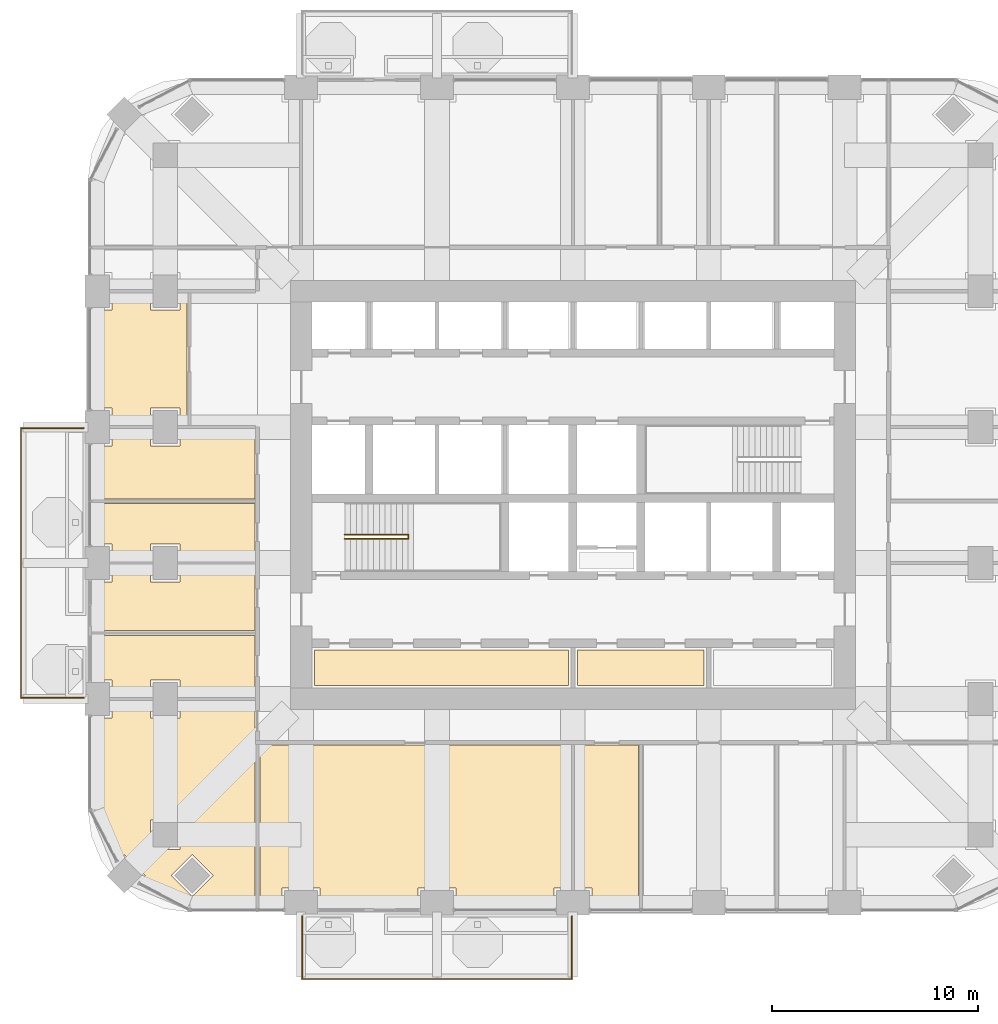
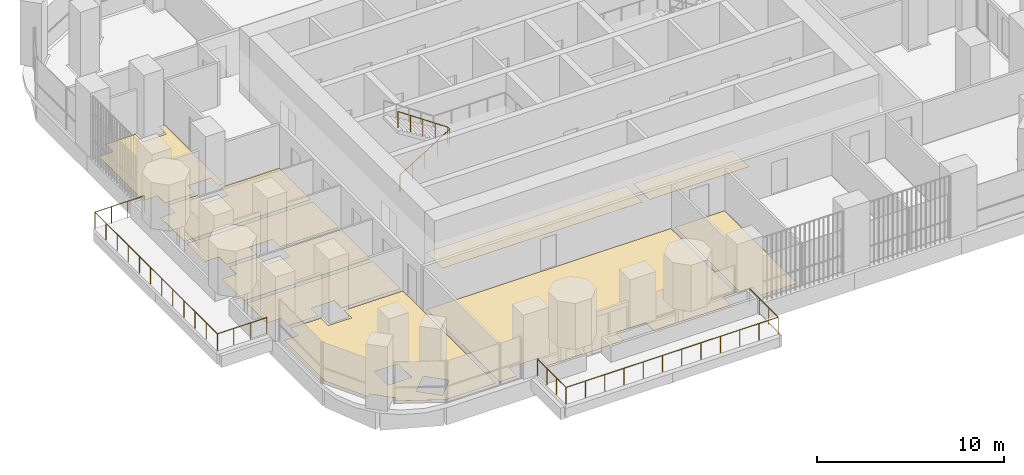
# One storey, part 16 of 20: 10 coverings, 3 railings.
"""IFC4 building model written with IfcOpenShell, lengths in metres."""

from ifc_helpers import new_model, si_unit, direction, frame, origin, place, context, subcontext, project, spatial, polyline, outline, extrude, material, layer, layer_set, type_object, element, save


model = new_model("IFC4")

# Units and contexts
model_context = context("Model", 3, precision=1e-05, world=origin(), true_north=direction((0.0, 1.0)))
body_context = subcontext(model_context, "Body", "Model", "MODEL_VIEW")
ifc_project = project(units=[si_unit("LENGTHUNIT", "METRE"), si_unit("AREAUNIT", "SQUARE_METRE"), si_unit("VOLUMEUNIT", "CUBIC_METRE"), si_unit("PLANEANGLEUNIT", "RADIAN"), si_unit("MASSUNIT", "GRAM", prefix="KILO")], contexts=[model_context])

# Site, building, storey
site_placement = place(None, origin())
site = spatial("IfcSite", under=ifc_project, at=site_placement, CompositionType="ELEMENT")
building_placement = place(site_placement, origin())
building = spatial("IfcBuilding", under=site, at=building_placement, Name="Cobogo Forest Laboratory Tower", CompositionType="ELEMENT")
storey_placement = place(building_placement, frame((0.0, 0.0, 168.300048828125)))
storey = spatial("IfcBuildingStorey", under=building, at=storey_placement, Name="L38", CompositionType="ELEMENT", Elevation=168.300048828125)

# Railings
ifc_material_1 = material(Name="Laminated glass balustrade", Category="glass")
railing_type_1 = type_object("IfcRailingType", Name="BG1 glass balustrade 1100", PredefinedType="GUARDRAIL", material=ifc_material_1)
railing_1_placement = place(storey_placement, frame((13.25, 2.64990234375, 0.0)))
element("IfcRailing", 1, at=railing_1_placement, inside=storey, type_object=railing_type_1, Name="Balcony balustrade BAL-S1 L38", PredefinedType="GUARDRAIL", context=body_context, shape_type="SweptSolid", body=[
    extrude(outline(polyline([(0.022216796875, 0.00927734375), (0.00927734375, 0.022216796875), (-0.00927734375, 0.022216796875), (-0.022216796875, 0.00927734375), (-0.022216796875, -0.00927734375), (-0.00927734375, -0.022216796875), (0.00927734375, -0.022216796875), (0.022216796875, -0.00927734375), (0.022216796875, 0.00927734375)])), frame((0.0, 0.0, 1.077880859375), z_axis=(0.0, -1.0, 0.0), x_axis=(1.0, 0.0, 0.0)), (0.0, 0.0, 1.0), 3.0498046875),
    extrude(outline(polyline([(0.022216796875, 0.00927734375), (0.00927734375, 0.022216796875), (-0.00927734375, 0.022216796875), (-0.022216796875, 0.00927734375), (-0.022216796875, -0.00927734375), (-0.00927734375, -0.022216796875), (0.00927734375, -0.022216796875), (0.022216796875, -0.00927734375), (0.022216796875, 0.00927734375)])), frame((0.0, -3.0498046875, 1.077880859375), z_axis=(1.0, 0.0, 0.0), x_axis=(0.0, 1.0, 0.0)), (0.0, 0.0, 1.0), 13.10009765625),
    extrude(outline(polyline([(0.022216796875, 0.00927734375), (0.00927734375, 0.022216796875), (-0.00927734375, 0.022216796875), (-0.022216796875, 0.00927734375), (-0.022216796875, -0.00927734375), (-0.00927734375, -0.022216796875), (0.00927734375, -0.022216796875), (0.022216796875, -0.00927734375), (0.022216796875, 0.00927734375)])), frame((13.10009765625, -3.0498046875, 1.077880859375), z_axis=(0.0, 1.0, 0.0), x_axis=(-1.0, 0.0, 0.0)), (0.0, 0.0, 1.0), 3.0498046875),
    extrude(outline(polyline([(0.019287109375, 0.008056640625), (0.008056640625, 0.019287109375), (-0.008056640625, 0.019287109375), (-0.019287109375, 0.008056640625), (-0.019287109375, -0.008056640625), (-0.008056640625, -0.019287109375), (0.008056640625, -0.019287109375), (0.019287109375, -0.008056640625), (0.019287109375, 0.008056640625)])), origin(), (0.0, 0.0, 1.0), 1.077880859375),
    extrude(outline(polyline([(0.019287109375, 0.008056640625), (0.008056640625, 0.019287109375), (-0.008056640625, 0.019287109375), (-0.019287109375, 0.008056640625), (-0.019287109375, -0.008056640625), (-0.008056640625, -0.019287109375), (0.008056640625, -0.019287109375), (0.019287109375, -0.008056640625), (0.019287109375, 0.008056640625)])), frame((0.0, -1.0166015625, 0.0)), (0.0, 0.0, 1.0), 1.077880859375),
    extrude(outline(polyline([(0.019287109375, 0.008056640625), (0.008056640625, 0.019287109375), (-0.008056640625, 0.019287109375), (-0.019287109375, 0.008056640625), (-0.019287109375, -0.008056640625), (-0.008056640625, -0.019287109375), (0.008056640625, -0.019287109375), (0.019287109375, -0.008056640625), (0.019287109375, 0.008056640625)])), frame((0.0, -2.033203125, 0.0)), (0.0, 0.0, 1.0), 1.077880859375),
    extrude(outline(polyline([(0.019287109375, 0.008056640625), (0.008056640625, 0.019287109375), (-0.008056640625, 0.019287109375), (-0.019287109375, 0.008056640625), (-0.019287109375, -0.008056640625), (-0.008056640625, -0.019287109375), (0.008056640625, -0.019287109375), (0.019287109375, -0.008056640625), (0.019287109375, 0.008056640625)])), frame((0.0, -3.0498046875, 0.0)), (0.0, 0.0, 1.0), 1.077880859375),
    extrude(outline(polyline([(0.019287109375, 0.008056640625), (0.008056640625, 0.019287109375), (-0.008056640625, 0.019287109375), (-0.019287109375, 0.008056640625), (-0.019287109375, -0.008056640625), (-0.008056640625, -0.019287109375), (0.008056640625, -0.019287109375), (0.019287109375, -0.008056640625), (0.019287109375, 0.008056640625)])), frame((1.19091796875, -3.0498046875, 0.0)), (0.0, 0.0, 1.0), 1.077880859375),
    extrude(outline(polyline([(0.019287109375, 0.008056640625), (0.008056640625, 0.019287109375), (-0.008056640625, 0.019287109375), (-0.019287109375, 0.008056640625), (-0.019287109375, -0.008056640625), (-0.008056640625, -0.019287109375), (0.008056640625, -0.019287109375), (0.019287109375, -0.008056640625), (0.019287109375, 0.008056640625)])), frame((2.3818359375, -3.0498046875, 0.0)), (0.0, 0.0, 1.0), 1.077880859375),
    extrude(outline(polyline([(0.019287109375, 0.008056640625), (0.008056640625, 0.019287109375), (-0.008056640625, 0.019287109375), (-0.019287109375, 0.008056640625), (-0.019287109375, -0.008056640625), (-0.008056640625, -0.019287109375), (0.008056640625, -0.019287109375), (0.019287109375, -0.008056640625), (0.019287109375, 0.008056640625)])), frame((3.57275390625, -3.0498046875, 0.0)), (0.0, 0.0, 1.0), 1.077880859375),
    extrude(outline(polyline([(0.019287109375, 0.008056640625), (0.008056640625, 0.019287109375), (-0.008056640625, 0.019287109375), (-0.019287109375, 0.008056640625), (-0.019287109375, -0.008056640625), (-0.008056640625, -0.019287109375), (0.008056640625, -0.019287109375), (0.019287109375, -0.008056640625), (0.019287109375, 0.008056640625)])), frame((4.763671875, -3.0498046875, 0.0)), (0.0, 0.0, 1.0), 1.077880859375),
    extrude(outline(polyline([(0.019287109375, 0.008056640625), (0.008056640625, 0.019287109375), (-0.008056640625, 0.019287109375), (-0.019287109375, 0.008056640625), (-0.019287109375, -0.008056640625), (-0.008056640625, -0.019287109375), (0.008056640625, -0.019287109375), (0.019287109375, -0.008056640625), (0.019287109375, 0.008056640625)])), frame((5.95458984375, -3.0498046875, 0.0)), (0.0, 0.0, 1.0), 1.077880859375),
    extrude(outline(polyline([(0.019287109375, 0.008056640625), (0.008056640625, 0.019287109375), (-0.008056640625, 0.019287109375), (-0.019287109375, 0.008056640625), (-0.019287109375, -0.008056640625), (-0.008056640625, -0.019287109375), (0.008056640625, -0.019287109375), (0.019287109375, -0.008056640625), (0.019287109375, 0.008056640625)])), frame((7.1455078125, -3.0498046875, 0.0)), (0.0, 0.0, 1.0), 1.077880859375),
    extrude(outline(polyline([(0.019287109375, 0.008056640625), (0.008056640625, 0.019287109375), (-0.008056640625, 0.019287109375), (-0.019287109375, 0.008056640625), (-0.019287109375, -0.008056640625), (-0.008056640625, -0.019287109375), (0.008056640625, -0.019287109375), (0.019287109375, -0.008056640625), (0.019287109375, 0.008056640625)])), frame((8.33642578125, -3.0498046875, 0.0)), (0.0, 0.0, 1.0), 1.077880859375),
    extrude(outline(polyline([(0.019287109375, 0.008056640625), (0.008056640625, 0.019287109375), (-0.008056640625, 0.019287109375), (-0.019287109375, 0.008056640625), (-0.019287109375, -0.008056640625), (-0.008056640625, -0.019287109375), (0.008056640625, -0.019287109375), (0.019287109375, -0.008056640625), (0.019287109375, 0.008056640625)])), frame((9.52734375, -3.0498046875, 0.0)), (0.0, 0.0, 1.0), 1.077880859375),
    extrude(outline(polyline([(0.019287109375, 0.008056640625), (0.008056640625, 0.019287109375), (-0.008056640625, 0.019287109375), (-0.019287109375, 0.008056640625), (-0.019287109375, -0.008056640625), (-0.008056640625, -0.019287109375), (0.008056640625, -0.019287109375), (0.019287109375, -0.008056640625), (0.019287109375, 0.008056640625)])), frame((10.71826171875, -3.0498046875, 0.0)), (0.0, 0.0, 1.0), 1.077880859375),
    extrude(outline(polyline([(0.019287109375, 0.008056640625), (0.008056640625, 0.019287109375), (-0.008056640625, 0.019287109375), (-0.019287109375, 0.008056640625), (-0.019287109375, -0.008056640625), (-0.008056640625, -0.019287109375), (0.008056640625, -0.019287109375), (0.019287109375, -0.008056640625), (0.019287109375, 0.008056640625)])), frame((11.9091796875, -3.0498046875, 0.0)), (0.0, 0.0, 1.0), 1.077880859375),
    extrude(outline(polyline([(0.019287109375, 0.008056640625), (0.008056640625, 0.019287109375), (-0.008056640625, 0.019287109375), (-0.019287109375, 0.008056640625), (-0.019287109375, -0.008056640625), (-0.008056640625, -0.019287109375), (0.008056640625, -0.019287109375), (0.019287109375, -0.008056640625), (0.019287109375, 0.008056640625)])), frame((13.10009765625, -3.0498046875, 0.0)), (0.0, 0.0, 1.0), 1.077880859375),
    extrude(outline(polyline([(0.019287109375, 0.008056640625), (0.008056640625, 0.019287109375), (-0.008056640625, 0.019287109375), (-0.019287109375, 0.008056640625), (-0.019287109375, -0.008056640625), (-0.008056640625, -0.019287109375), (0.008056640625, -0.019287109375), (0.019287109375, -0.008056640625), (0.019287109375, 0.008056640625)])), frame((13.10009765625, -2.033203125, 0.0)), (0.0, 0.0, 1.0), 1.077880859375),
    extrude(outline(polyline([(0.019287109375, 0.008056640625), (0.008056640625, 0.019287109375), (-0.008056640625, 0.019287109375), (-0.019287109375, 0.008056640625), (-0.019287109375, -0.008056640625), (-0.008056640625, -0.019287109375), (0.008056640625, -0.019287109375), (0.019287109375, -0.008056640625), (0.019287109375, 0.008056640625)])), frame((13.10009765625, -1.0166015625, 0.0)), (0.0, 0.0, 1.0), 1.077880859375),
    extrude(outline(polyline([(0.019287109375, 0.008056640625), (0.008056640625, 0.019287109375), (-0.008056640625, 0.019287109375), (-0.019287109375, 0.008056640625), (-0.019287109375, -0.008056640625), (-0.008056640625, -0.019287109375), (0.008056640625, -0.019287109375), (0.019287109375, -0.008056640625), (0.019287109375, 0.008056640625)])), frame((13.10009765625, 0.0, 0.0)), (0.0, 0.0, 1.0), 1.077880859375),
])
railing_2_placement = place(storey_placement, frame((2.64990234375, 13.25, 0.0)))
element("IfcRailing", 2, at=railing_2_placement, inside=storey, type_object=railing_type_1, Name="Balcony balustrade BAL-W1 L38", PredefinedType="GUARDRAIL", context=body_context, shape_type="SweptSolid", body=[
    extrude(outline(polyline([(0.022216796875, 0.00927734375), (0.00927734375, 0.022216796875), (-0.00927734375, 0.022216796875), (-0.022216796875, 0.00927734375), (-0.022216796875, -0.00927734375), (-0.00927734375, -0.022216796875), (0.00927734375, -0.022216796875), (0.022216796875, -0.00927734375), (0.022216796875, 0.00927734375)])), frame((0.0, 0.0, 1.077880859375), z_axis=(-1.0, 0.0, 0.0), x_axis=(0.0, -1.0, 0.0)), (0.0, 0.0, 1.0), 3.0498046875),
    extrude(outline(polyline([(0.022216796875, 0.00927734375), (0.00927734375, 0.022216796875), (-0.00927734375, 0.022216796875), (-0.022216796875, 0.00927734375), (-0.022216796875, -0.00927734375), (-0.00927734375, -0.022216796875), (0.00927734375, -0.022216796875), (0.022216796875, -0.00927734375), (0.022216796875, 0.00927734375)])), frame((-3.0498046875, 0.0, 1.077880859375), z_axis=(0.0, 1.0, 0.0), x_axis=(-1.0, 0.0, 0.0)), (0.0, 0.0, 1.0), 13.10009765625),
    extrude(outline(polyline([(0.022216796875, 0.00927734375), (0.00927734375, 0.022216796875), (-0.00927734375, 0.022216796875), (-0.022216796875, 0.00927734375), (-0.022216796875, -0.00927734375), (-0.00927734375, -0.022216796875), (0.00927734375, -0.022216796875), (0.022216796875, -0.00927734375), (0.022216796875, 0.00927734375)])), frame((-3.0498046875, 13.10009765625, 1.077880859375), z_axis=(1.0, 0.0, 0.0), x_axis=(0.0, 1.0, 0.0)), (0.0, 0.0, 1.0), 3.0498046875),
    extrude(outline(polyline([(0.019287109375, 0.008056640625), (0.008056640625, 0.019287109375), (-0.008056640625, 0.019287109375), (-0.019287109375, 0.008056640625), (-0.019287109375, -0.008056640625), (-0.008056640625, -0.019287109375), (0.008056640625, -0.019287109375), (0.019287109375, -0.008056640625), (0.019287109375, 0.008056640625)])), origin(), (0.0, 0.0, 1.0), 1.077880859375),
    extrude(outline(polyline([(0.019287109375, 0.008056640625), (0.008056640625, 0.019287109375), (-0.008056640625, 0.019287109375), (-0.019287109375, 0.008056640625), (-0.019287109375, -0.008056640625), (-0.008056640625, -0.019287109375), (0.008056640625, -0.019287109375), (0.019287109375, -0.008056640625), (0.019287109375, 0.008056640625)])), frame((-1.0166015625, 0.0, 0.0)), (0.0, 0.0, 1.0), 1.077880859375),
    extrude(outline(polyline([(0.019287109375, 0.008056640625), (0.008056640625, 0.019287109375), (-0.008056640625, 0.019287109375), (-0.019287109375, 0.008056640625), (-0.019287109375, -0.008056640625), (-0.008056640625, -0.019287109375), (0.008056640625, -0.019287109375), (0.019287109375, -0.008056640625), (0.019287109375, 0.008056640625)])), frame((-2.033203125, 0.0, 0.0)), (0.0, 0.0, 1.0), 1.077880859375),
    extrude(outline(polyline([(0.019287109375, 0.008056640625), (0.008056640625, 0.019287109375), (-0.008056640625, 0.019287109375), (-0.019287109375, 0.008056640625), (-0.019287109375, -0.008056640625), (-0.008056640625, -0.019287109375), (0.008056640625, -0.019287109375), (0.019287109375, -0.008056640625), (0.019287109375, 0.008056640625)])), frame((-3.0498046875, 0.0, 0.0)), (0.0, 0.0, 1.0), 1.077880859375),
    extrude(outline(polyline([(0.019287109375, 0.008056640625), (0.008056640625, 0.019287109375), (-0.008056640625, 0.019287109375), (-0.019287109375, 0.008056640625), (-0.019287109375, -0.008056640625), (-0.008056640625, -0.019287109375), (0.008056640625, -0.019287109375), (0.019287109375, -0.008056640625), (0.019287109375, 0.008056640625)])), frame((-3.0498046875, 1.19091796875, 0.0)), (0.0, 0.0, 1.0), 1.077880859375),
    extrude(outline(polyline([(0.019287109375, 0.008056640625), (0.008056640625, 0.019287109375), (-0.008056640625, 0.019287109375), (-0.019287109375, 0.008056640625), (-0.019287109375, -0.008056640625), (-0.008056640625, -0.019287109375), (0.008056640625, -0.019287109375), (0.019287109375, -0.008056640625), (0.019287109375, 0.008056640625)])), frame((-3.0498046875, 2.3818359375, 0.0)), (0.0, 0.0, 1.0), 1.077880859375),
    extrude(outline(polyline([(0.019287109375, 0.008056640625), (0.008056640625, 0.019287109375), (-0.008056640625, 0.019287109375), (-0.019287109375, 0.008056640625), (-0.019287109375, -0.008056640625), (-0.008056640625, -0.019287109375), (0.008056640625, -0.019287109375), (0.019287109375, -0.008056640625), (0.019287109375, 0.008056640625)])), frame((-3.0498046875, 3.57275390625, 0.0)), (0.0, 0.0, 1.0), 1.077880859375),
    extrude(outline(polyline([(0.019287109375, 0.008056640625), (0.008056640625, 0.019287109375), (-0.008056640625, 0.019287109375), (-0.019287109375, 0.008056640625), (-0.019287109375, -0.008056640625), (-0.008056640625, -0.019287109375), (0.008056640625, -0.019287109375), (0.019287109375, -0.008056640625), (0.019287109375, 0.008056640625)])), frame((-3.0498046875, 4.763671875, 0.0)), (0.0, 0.0, 1.0), 1.077880859375),
    extrude(outline(polyline([(0.019287109375, 0.008056640625), (0.008056640625, 0.019287109375), (-0.008056640625, 0.019287109375), (-0.019287109375, 0.008056640625), (-0.019287109375, -0.008056640625), (-0.008056640625, -0.019287109375), (0.008056640625, -0.019287109375), (0.019287109375, -0.008056640625), (0.019287109375, 0.008056640625)])), frame((-3.0498046875, 5.95458984375, 0.0)), (0.0, 0.0, 1.0), 1.077880859375),
    extrude(outline(polyline([(0.019287109375, 0.008056640625), (0.008056640625, 0.019287109375), (-0.008056640625, 0.019287109375), (-0.019287109375, 0.008056640625), (-0.019287109375, -0.008056640625), (-0.008056640625, -0.019287109375), (0.008056640625, -0.019287109375), (0.019287109375, -0.008056640625), (0.019287109375, 0.008056640625)])), frame((-3.0498046875, 7.1455078125, 0.0)), (0.0, 0.0, 1.0), 1.077880859375),
    extrude(outline(polyline([(0.019287109375, 0.008056640625), (0.008056640625, 0.019287109375), (-0.008056640625, 0.019287109375), (-0.019287109375, 0.008056640625), (-0.019287109375, -0.008056640625), (-0.008056640625, -0.019287109375), (0.008056640625, -0.019287109375), (0.019287109375, -0.008056640625), (0.019287109375, 0.008056640625)])), frame((-3.0498046875, 8.33642578125, 0.0)), (0.0, 0.0, 1.0), 1.077880859375),
    extrude(outline(polyline([(0.019287109375, 0.008056640625), (0.008056640625, 0.019287109375), (-0.008056640625, 0.019287109375), (-0.019287109375, 0.008056640625), (-0.019287109375, -0.008056640625), (-0.008056640625, -0.019287109375), (0.008056640625, -0.019287109375), (0.019287109375, -0.008056640625), (0.019287109375, 0.008056640625)])), frame((-3.0498046875, 9.52734375, 0.0)), (0.0, 0.0, 1.0), 1.077880859375),
    extrude(outline(polyline([(0.019287109375, 0.008056640625), (0.008056640625, 0.019287109375), (-0.008056640625, 0.019287109375), (-0.019287109375, 0.008056640625), (-0.019287109375, -0.008056640625), (-0.008056640625, -0.019287109375), (0.008056640625, -0.019287109375), (0.019287109375, -0.008056640625), (0.019287109375, 0.008056640625)])), frame((-3.0498046875, 10.71826171875, 0.0)), (0.0, 0.0, 1.0), 1.077880859375),
    extrude(outline(polyline([(0.019287109375, 0.008056640625), (0.008056640625, 0.019287109375), (-0.008056640625, 0.019287109375), (-0.019287109375, 0.008056640625), (-0.019287109375, -0.008056640625), (-0.008056640625, -0.019287109375), (0.008056640625, -0.019287109375), (0.019287109375, -0.008056640625), (0.019287109375, 0.008056640625)])), frame((-3.0498046875, 11.9091796875, 0.0)), (0.0, 0.0, 1.0), 1.077880859375),
    extrude(outline(polyline([(0.019287109375, 0.008056640625), (0.008056640625, 0.019287109375), (-0.008056640625, 0.019287109375), (-0.019287109375, 0.008056640625), (-0.019287109375, -0.008056640625), (-0.008056640625, -0.019287109375), (0.008056640625, -0.019287109375), (0.019287109375, -0.008056640625), (0.019287109375, 0.008056640625)])), frame((-3.0498046875, 13.10009765625, 0.0)), (0.0, 0.0, 1.0), 1.077880859375),
    extrude(outline(polyline([(0.019287109375, 0.008056640625), (0.008056640625, 0.019287109375), (-0.008056640625, 0.019287109375), (-0.019287109375, 0.008056640625), (-0.019287109375, -0.008056640625), (-0.008056640625, -0.019287109375), (0.008056640625, -0.019287109375), (0.019287109375, -0.008056640625), (0.019287109375, 0.008056640625)])), frame((-2.033203125, 13.10009765625, 0.0)), (0.0, 0.0, 1.0), 1.077880859375),
    extrude(outline(polyline([(0.019287109375, 0.008056640625), (0.008056640625, 0.019287109375), (-0.008056640625, 0.019287109375), (-0.019287109375, 0.008056640625), (-0.019287109375, -0.008056640625), (-0.008056640625, -0.019287109375), (0.008056640625, -0.019287109375), (0.019287109375, -0.008056640625), (0.019287109375, 0.008056640625)])), frame((-1.0166015625, 13.10009765625, 0.0)), (0.0, 0.0, 1.0), 1.077880859375),
    extrude(outline(polyline([(0.019287109375, 0.008056640625), (0.008056640625, 0.019287109375), (-0.008056640625, 0.019287109375), (-0.019287109375, 0.008056640625), (-0.019287109375, -0.008056640625), (-0.008056640625, -0.019287109375), (0.008056640625, -0.019287109375), (0.019287109375, -0.008056640625), (0.019287109375, 0.008056640625)])), frame((0.0, 13.10009765625, 0.0)), (0.0, 0.0, 1.0), 1.077880859375),
])

# Coverings
ifc_material_2 = material(Name="Carpet tile on raised access floor", Category="flooring")
ifc_layer_1 = layer(ifc_material_2, 0.008056640625)
ifc_layer_set_1 = layer_set([ifc_layer_1], Name="CT1 carpet tile floor 8")
covering_type_1 = type_object("IfcCoveringType", Name="CT1 carpet tile floor 8", PredefinedType="FLOORING", material=ifc_layer_set_1)
covering_1_placement = place(storey_placement, origin())
element("IfcCovering", 3, at=covering_1_placement, inside=storey, type_object=covering_type_1, Name="Carpet floor L38-01", PredefinedType="FLOORING", context=body_context, shape_type="SweptSolid", body=[
    extrude(outline(polyline([(26.280029296875, 10.955078125), (26.280029296875, 4.02001953125), (25.47998046875, 4.02001953125), (25.47998046875, 3.14990234375), (20.719970703125, 3.14990234375), (20.719970703125, 4.02001953125), (18.8798828125, 4.02001953125), (18.8798828125, 3.14990234375), (14.1201171875, 3.14990234375), (14.1201171875, 4.02001953125), (12.280029296875, 4.02001953125), (12.280029296875, 3.14990234375), (11.195068359375, 3.14990234375), (11.195068359375, 10.955078125), (26.280029296875, 10.955078125)])), origin(), (0.0, 0.0, 1.0), 0.008056640625),
])
covering_2_placement = place(storey_placement, origin())
element("IfcCovering", 4, at=covering_2_placement, inside=storey, type_object=covering_type_1, Name="Carpet floor L38-17", PredefinedType="FLOORING", context=body_context, shape_type="SweptSolid", body=[
    extrude(outline(polyline([(10.955078125, 3.14990234375), (7.84912109375, 3.14990234375), (5.434326171875, 4.416015625), (5.63623046875, 4.617919921875), (4.617919921875, 5.63623046875), (4.416015625, 5.434326171875), (3.14990234375, 7.84912109375), (3.14990234375, 12.280029296875), (4.02001953125, 12.280029296875), (4.02001953125, 13.080078125), (5.8798828125, 13.080078125), (5.8798828125, 12.280029296875), (7.320068359375, 12.280029296875), (7.320068359375, 13.080078125), (10.955078125, 13.080078125), (10.955078125, 3.14990234375)]), holes=[polyline([(7.91796875, 3.599853515625), (8.936279296875, 4.617919921875), (7.91796875, 5.63623046875), (6.89990234375, 4.617919921875), (7.91796875, 3.599853515625)]), polyline([(5.8798828125, 5.8798828125), (7.320068359375, 5.8798828125), (7.320068359375, 7.320068359375), (5.8798828125, 7.320068359375), (5.8798828125, 5.8798828125)])]), origin(), (0.0, 0.0, 1.0), 0.008056640625),
])
covering_3_placement = place(storey_placement, origin())
element("IfcCovering", 5, at=covering_3_placement, inside=storey, type_object=covering_type_1, Name="Carpet floor L38-32", PredefinedType="FLOORING", context=body_context, shape_type="SweptSolid", body=[
    extrude(outline(polyline([(26.179931640625, 13.844970703125), (13.844970703125, 13.844970703125), (13.844970703125, 15.580078125), (26.179931640625, 15.580078125), (26.179931640625, 13.844970703125)])), origin(), (0.0, 0.0, 1.0), 0.008056640625),
])

# Railing
ifc_material_3 = material(Name="Steel balustrade", Category="steel")
railing_type_2 = type_object("IfcRailingType", Name="GR stair guard 1100", PredefinedType="GUARDRAIL", material=ifc_material_3)
railing_3_placement = place(storey_placement, frame((15.324951171875, 20.969970703125, 0.175048828125)))
element("IfcRailing", 6, at=railing_3_placement, inside=storey, type_object=railing_type_2, Name="Stair guard ST1 L38", PredefinedType="GUARDRAIL", context=body_context, shape_type="SweptSolid", body=[
    extrude(outline(polyline([(0.022216796875, 0.00927734375), (0.00927734375, 0.022216796875), (-0.00927734375, 0.022216796875), (-0.022216796875, 0.00927734375), (-0.022216796875, -0.00927734375), (-0.00927734375, -0.022216796875), (0.00927734375, -0.022216796875), (0.022216796875, -0.00927734375), (0.022216796875, 0.00927734375)])), frame((0.0, 0.0, 1.077880859375), z_axis=(0.848028513186, 0.0, 0.529950602248), x_axis=(0.0, 1.0, 0.0)), (0.0, 0.0, 1.0), 3.632080078125),
    extrude(outline(polyline([(0.022216796875, 0.00927734375), (0.00927734375, 0.022216796875), (-0.00927734375, 0.022216796875), (-0.022216796875, 0.00927734375), (-0.022216796875, -0.00927734375), (-0.00927734375, -0.022216796875), (0.00927734375, -0.022216796875), (0.022216796875, -0.00927734375), (0.022216796875, 0.00927734375)])), frame((3.080078125, 0.0, 3.002685546875), z_axis=(0.0, 1.0, 0.0), x_axis=(-1.0, 0.0, 0.0)), (0.0, 0.0, 1.0), 0.2099609375),
    extrude(outline(polyline([(0.022216796875, 0.00927734375), (0.00927734375, 0.022216796875), (-0.00927734375, 0.022216796875), (-0.022216796875, 0.00927734375), (-0.022216796875, -0.00927734375), (-0.00927734375, -0.022216796875), (0.00927734375, -0.022216796875), (0.022216796875, -0.00927734375), (0.022216796875, 0.00927734375)])), frame((3.080078125, 0.2099609375, 3.002685546875), z_axis=(-0.826221800596, 0.0, 0.563344953133), x_axis=(0.0, -1.0, 0.0)), (0.0, 0.0, 1.0), 3.72802734375),
    extrude(outline(polyline([(0.019287109375, 0.008056640625), (0.008056640625, 0.019287109375), (-0.008056640625, 0.019287109375), (-0.019287109375, 0.008056640625), (-0.019287109375, -0.008056640625), (-0.008056640625, -0.019287109375), (0.008056640625, -0.019287109375), (0.019287109375, -0.008056640625), (0.019287109375, 0.008056640625)])), origin(), (0.0, 0.0, 1.0), 1.077880859375),
    extrude(outline(polyline([(0.019287109375, 0.008056640625), (0.008056640625, 0.019287109375), (-0.008056640625, 0.019287109375), (-0.019287109375, 0.008056640625), (-0.019287109375, -0.008056640625), (-0.008056640625, -0.019287109375), (0.008056640625, -0.019287109375), (0.019287109375, -0.008056640625), (0.019287109375, 0.008056640625)])), frame((0.77001953125, 0.0, 0.481201171875)), (0.0, 0.0, 1.0), 1.077880859375),
    extrude(outline(polyline([(0.019287109375, 0.008056640625), (0.008056640625, 0.019287109375), (-0.008056640625, 0.019287109375), (-0.019287109375, 0.008056640625), (-0.019287109375, -0.008056640625), (-0.008056640625, -0.019287109375), (0.008056640625, -0.019287109375), (0.019287109375, -0.008056640625), (0.019287109375, 0.008056640625)])), frame((1.5400390625, 0.0, 0.96240234375)), (0.0, 0.0, 1.0), 1.077880859375),
    extrude(outline(polyline([(0.019287109375, 0.008056640625), (0.008056640625, 0.019287109375), (-0.008056640625, 0.019287109375), (-0.019287109375, 0.008056640625), (-0.019287109375, -0.008056640625), (-0.008056640625, -0.019287109375), (0.008056640625, -0.019287109375), (0.019287109375, -0.008056640625), (0.019287109375, 0.008056640625)])), frame((2.31005859375, 0.0, 1.443603515625)), (0.0, 0.0, 1.0), 1.077880859375),
    extrude(outline(polyline([(0.019287109375, 0.008056640625), (0.008056640625, 0.019287109375), (-0.008056640625, 0.019287109375), (-0.019287109375, 0.008056640625), (-0.019287109375, -0.008056640625), (-0.008056640625, -0.019287109375), (0.008056640625, -0.019287109375), (0.019287109375, -0.008056640625), (0.019287109375, 0.008056640625)])), frame((3.080078125, 0.0, 1.9248046875)), (0.0, 0.0, 1.0), 1.077880859375),
    extrude(outline(polyline([(0.019287109375, 0.008056640625), (0.008056640625, 0.019287109375), (-0.008056640625, 0.019287109375), (-0.019287109375, 0.008056640625), (-0.019287109375, -0.008056640625), (-0.008056640625, -0.019287109375), (0.008056640625, -0.019287109375), (0.019287109375, -0.008056640625), (0.019287109375, 0.008056640625)])), frame((3.080078125, 0.2099609375, 1.9248046875)), (0.0, 0.0, 1.0), 1.077880859375),
    extrude(outline(polyline([(0.019287109375, 0.008056640625), (0.008056640625, 0.019287109375), (-0.008056640625, 0.019287109375), (-0.019287109375, 0.008056640625), (-0.019287109375, -0.008056640625), (-0.008056640625, -0.019287109375), (0.008056640625, -0.019287109375), (0.019287109375, -0.008056640625), (0.019287109375, 0.008056640625)])), frame((2.31005859375, 0.2099609375, 2.44970703125)), (0.0, 0.0, 1.0), 1.077880859375),
    extrude(outline(polyline([(0.019287109375, 0.008056640625), (0.008056640625, 0.019287109375), (-0.008056640625, 0.019287109375), (-0.019287109375, 0.008056640625), (-0.019287109375, -0.008056640625), (-0.008056640625, -0.019287109375), (0.008056640625, -0.019287109375), (0.019287109375, -0.008056640625), (0.019287109375, 0.008056640625)])), frame((1.5400390625, 0.2099609375, 2.974853515625)), (0.0, 0.0, 1.0), 1.077880859375),
    extrude(outline(polyline([(0.019287109375, 0.008056640625), (0.008056640625, 0.019287109375), (-0.008056640625, 0.019287109375), (-0.019287109375, 0.008056640625), (-0.019287109375, -0.008056640625), (-0.008056640625, -0.019287109375), (0.008056640625, -0.019287109375), (0.019287109375, -0.008056640625), (0.019287109375, 0.008056640625)])), frame((0.77001953125, 0.2099609375, 3.5)), (0.0, 0.0, 1.0), 1.077880859375),
    extrude(outline(polyline([(0.019287109375, 0.008056640625), (0.008056640625, 0.019287109375), (-0.008056640625, 0.019287109375), (-0.019287109375, 0.008056640625), (-0.019287109375, -0.008056640625), (-0.008056640625, -0.019287109375), (0.008056640625, -0.019287109375), (0.019287109375, -0.008056640625), (0.019287109375, 0.008056640625)])), frame((0.0, 0.2099609375, 4.02490234375)), (0.0, 0.0, 1.0), 1.077880859375),
])

# Coverings
ifc_material_4 = material(Name="Static-dissipative vinyl flooring", Category="flooring")
ifc_layer_2 = layer(ifc_material_4, 0.0029296875)
ifc_layer_set_2 = layer_set([ifc_layer_2], Name="SD1 static-dissipative vinyl floor 3")
covering_type_2 = type_object("IfcCoveringType", Name="SD1 static-dissipative vinyl floor 3", PredefinedType="FLOORING", material=ifc_layer_set_2)
covering_4_placement = place(storey_placement, origin())
element("IfcCovering", 7, at=covering_4_placement, inside=storey, type_object=covering_type_2, Name="Static-dissipative floor L38-02", PredefinedType="FLOORING", context=body_context, shape_type="SweptSolid", body=[
    extrude(outline(polyline([(29.580078125, 10.955078125), (29.580078125, 3.14990234375), (27.320068359375, 3.14990234375), (27.320068359375, 4.02001953125), (26.52001953125, 4.02001953125), (26.52001953125, 10.955078125), (29.580078125, 10.955078125)])), origin(), (0.0, 0.0, 1.0), 0.0029296875),
])
covering_5_placement = place(storey_placement, origin())
element("IfcCovering", 8, at=covering_5_placement, inside=storey, type_object=covering_type_2, Name="Static-dissipative floor L38-22", PredefinedType="FLOORING", context=body_context, shape_type="SweptSolid", body=[
    extrude(outline(polyline([(7.655029296875, 26.52001953125), (7.320068359375, 26.52001953125), (7.320068359375, 27.320068359375), (5.8798828125, 27.320068359375), (5.8798828125, 26.52001953125), (4.02001953125, 26.52001953125), (4.02001953125, 27.320068359375), (3.14990234375, 27.320068359375), (3.14990234375, 32.080078125), (4.02001953125, 32.080078125), (4.02001953125, 32.8798828125), (5.8798828125, 32.8798828125), (5.8798828125, 32.080078125), (7.320068359375, 32.080078125), (7.320068359375, 32.8798828125), (7.655029296875, 32.8798828125), (7.655029296875, 26.52001953125)])), origin(), (0.0, 0.0, 1.0), 0.0029296875),
])
ifc_material_5 = material(Name="Ceramic floor tile", Category="flooring")
ifc_layer_3 = layer(ifc_material_5, 0.010009765625)
ifc_layer_set_3 = layer_set([ifc_layer_3], Name="TF1 ceramic tile floor 10")
covering_type_3 = type_object("IfcCoveringType", Name="TF1 ceramic tile floor 10", PredefinedType="FLOORING", material=ifc_layer_set_3)
covering_6_placement = place(storey_placement, origin())
element("IfcCovering", 9, at=covering_6_placement, inside=storey, type_object=covering_type_3, Name="Tile floor L38-18", PredefinedType="FLOORING", context=body_context, shape_type="SweptSolid", body=[
    extrude(outline(polyline([(10.955078125, 13.320068359375), (7.320068359375, 13.320068359375), (7.320068359375, 14.1201171875), (5.8798828125, 14.1201171875), (5.8798828125, 13.320068359375), (4.02001953125, 13.320068359375), (4.02001953125, 14.1201171875), (3.14990234375, 14.1201171875), (3.14990234375, 16.280029296875), (10.955078125, 16.280029296875), (10.955078125, 13.320068359375)])), origin(), (0.0, 0.0, 1.0), 0.010009765625),
])
covering_7_placement = place(storey_placement, origin())
element("IfcCovering", 10, at=covering_7_placement, inside=storey, type_object=covering_type_3, Name="Tile floor L38-19", PredefinedType="FLOORING", context=body_context, shape_type="SweptSolid", body=[
    extrude(outline(polyline([(10.955078125, 16.52001953125), (3.14990234375, 16.52001953125), (3.14990234375, 18.8798828125), (4.02001953125, 18.8798828125), (4.02001953125, 19.679931640625), (5.8798828125, 19.679931640625), (5.8798828125, 18.8798828125), (7.320068359375, 18.8798828125), (7.320068359375, 19.679931640625), (10.955078125, 19.679931640625), (10.955078125, 16.52001953125)])), origin(), (0.0, 0.0, 1.0), 0.010009765625),
])
covering_8_placement = place(storey_placement, origin())
element("IfcCovering", 11, at=covering_8_placement, inside=storey, type_object=covering_type_3, Name="Tile floor L38-20", PredefinedType="FLOORING", context=body_context, shape_type="SweptSolid", body=[
    extrude(outline(polyline([(10.955078125, 19.919921875), (7.320068359375, 19.919921875), (7.320068359375, 20.719970703125), (5.8798828125, 20.719970703125), (5.8798828125, 19.919921875), (4.02001953125, 19.919921875), (4.02001953125, 20.719970703125), (3.14990234375, 20.719970703125), (3.14990234375, 22.679931640625), (10.955078125, 22.679931640625), (10.955078125, 19.919921875)])), origin(), (0.0, 0.0, 1.0), 0.010009765625),
])
covering_9_placement = place(storey_placement, origin())
element("IfcCovering", 12, at=covering_9_placement, inside=storey, type_object=covering_type_3, Name="Tile floor L38-21", PredefinedType="FLOORING", context=body_context, shape_type="SweptSolid", body=[
    extrude(outline(polyline([(10.955078125, 22.919921875), (3.14990234375, 22.919921875), (3.14990234375, 25.47998046875), (4.02001953125, 25.47998046875), (4.02001953125, 26.280029296875), (5.8798828125, 26.280029296875), (5.8798828125, 25.47998046875), (7.320068359375, 25.47998046875), (7.320068359375, 26.280029296875), (10.955078125, 26.280029296875), (10.955078125, 22.919921875)])), origin(), (0.0, 0.0, 1.0), 0.010009765625),
])
covering_10_placement = place(storey_placement, origin())
element("IfcCovering", 13, at=covering_10_placement, inside=storey, type_object=covering_type_3, Name="Tile floor L38-33", PredefinedType="FLOORING", context=body_context, shape_type="SweptSolid", body=[
    extrude(outline(polyline([(32.780029296875, 13.844970703125), (26.6201171875, 13.844970703125), (26.6201171875, 15.580078125), (32.780029296875, 15.580078125), (32.780029296875, 13.844970703125)])), origin(), (0.0, 0.0, 1.0), 0.010009765625),
])

save(model, "model.ifc")
